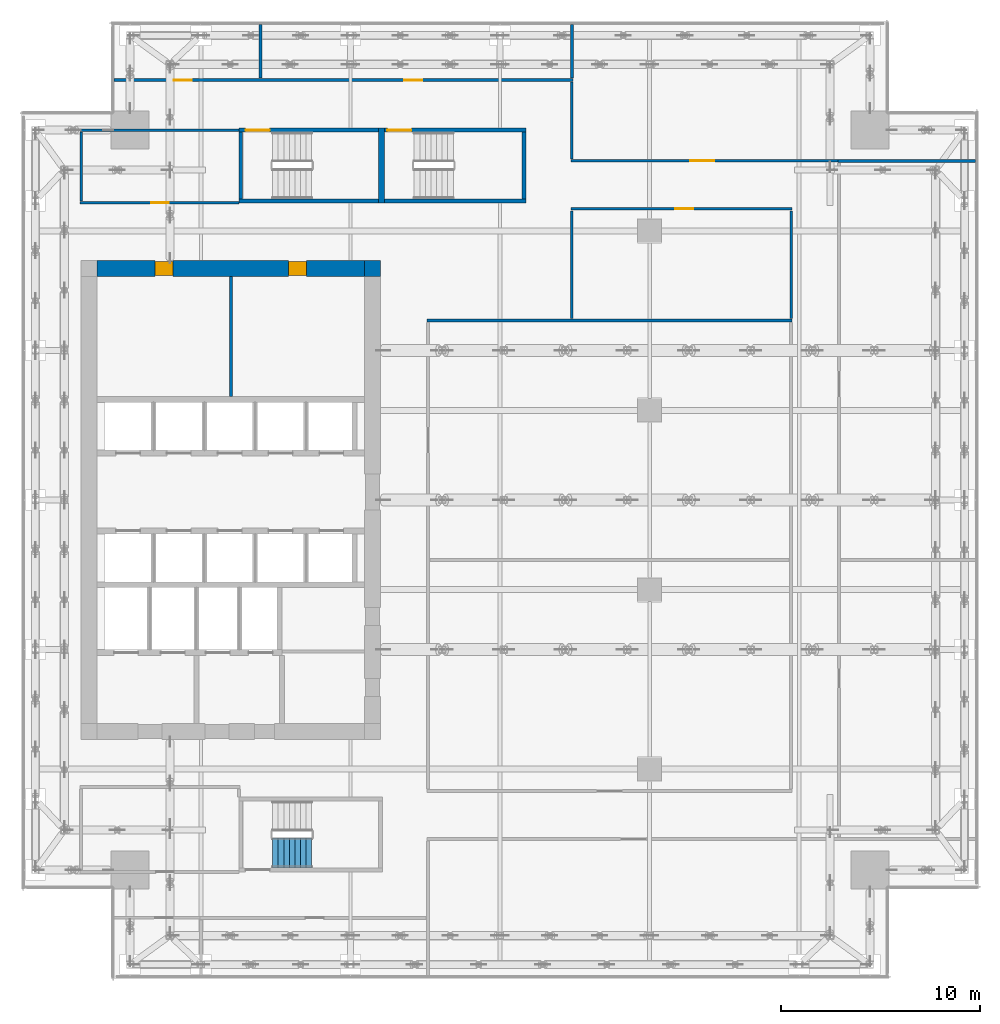
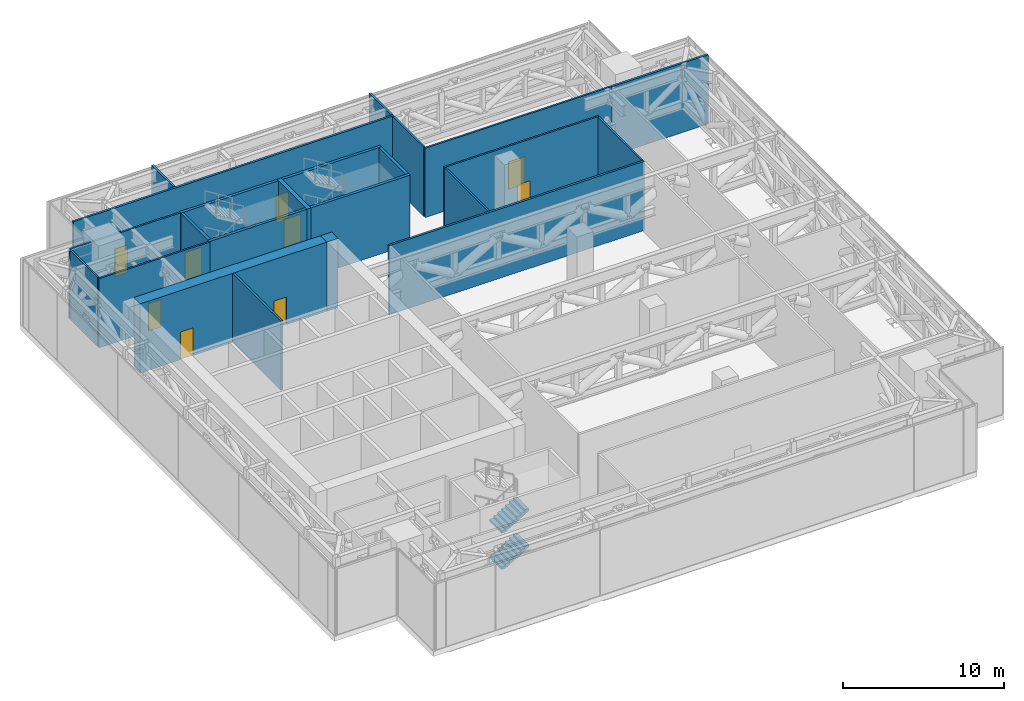
# One storey, part 30 of 36: 23 walls, 9 doors, 2 stair flights, 9 openings, 1 element without a shape of its own.
"""IFC4 building model written with IfcOpenShell, lengths in metres."""

from ifc_helpers import new_model, si_unit, direction, frame, frame_2d, origin, place, context, subcontext, project, spatial, polyline, rectangle, outline, extrude, source, transform, mapped, material, layer, layer_set, type_object, element, fill, aggregate, save


model = new_model("IFC4")

# Units and contexts
model_context = context("Model", 3, precision=1e-05, world=origin(), true_north=direction((0.0, 1.0)))
body_context = subcontext(model_context, "Body", "Model", "MODEL_VIEW")
ifc_project = project(units=[si_unit("LENGTHUNIT", "METRE"), si_unit("AREAUNIT", "SQUARE_METRE"), si_unit("VOLUMEUNIT", "CUBIC_METRE"), si_unit("PLANEANGLEUNIT", "RADIAN"), si_unit("MASSUNIT", "GRAM", prefix="KILO")], contexts=[model_context])

# Site, building, storey
site_placement = place(None, origin())
site = spatial("IfcSite", under=ifc_project, at=site_placement, CompositionType="ELEMENT")
building_placement = place(site_placement, origin())
building = spatial("IfcBuilding", under=site, at=building_placement, Name="Khomas Fold Tower", CompositionType="ELEMENT")
storey_placement = place(building_placement, frame((0.0, 0.0, 216.699951171875)))
storey = spatial("IfcBuildingStorey", under=building, at=storey_placement, Name="L48", CompositionType="ELEMENT", Elevation=216.699951171875)

# Wall, openings, doors
ifc_material_1 = material(Name="Concrete C60/75", Category="concrete")
ifc_layer_1 = layer(ifc_material_1, 0.800048828125)
ifc_layer_set_1 = layer_set([ifc_layer_1], Name="Concrete C60/75")
wall_type_1 = type_object("IfcWallType", Name="Core wall 800", PredefinedType="SHEAR", material=ifc_layer_set_1)
shared_shape_1 = source(origin(), body_context, "Body", "SweptSolid", [
    extrude(rectangle(XDim=13.39990234375, YDim=0.800048828125, at=frame_2d((6.699951171875, 0.0))), origin(), (0.0, 0.0, 1.0), 5.25),
])
wall_1_placement = place(storey_placement, frame((6.800048828125, 38.60009765625, 0.0), z_axis=(0.0, 0.0, 1.0), x_axis=(1.0, 0.0, 0.0)))
wall_1 = element("IfcWall", 1, at=wall_1_placement, inside=storey, type_object=wall_type_1, Name="Core wall CW-U-N-L35", PredefinedType="SHEAR", context=body_context, shape_type="MappedRepresentation", body=[
    mapped(shared_shape_1, transform((0.0, 0.0, 0.0))),
])
shared_shape_2 = source(origin(), body_context, "Body", "SweptSolid", [
    extrude(rectangle(XDim=0.89990234375, YDim=2.10009765625, at=frame_2d((0.449951171875, 1.050048828125))), frame((0.0, 0.409912109375, 0.0), z_axis=(0.0, -1.0, 0.0), x_axis=(1.0, 0.0, 0.0)), (0.0, 0.0, 1.0), 0.820068359375),
])
opening_1_placement = place(wall_1_placement, frame((2.89990234375, 0.0, 0.0)))
opening_1 = element("IfcOpeningElement", 2, at=opening_1_placement, cuts=wall_1, Name="Opening 0003", PredefinedType="OPENING", context=body_context, shape_type="MappedRepresentation", body=[
    mapped(shared_shape_2, transform((0.0, 0.0, 0.0))),
])
opening_2_placement = place(wall_1_placement, frame((9.60009765625, 0.0, 0.0)))
opening_2 = element("IfcOpeningElement", 3, at=opening_2_placement, cuts=wall_1, Name="Opening 0003", PredefinedType="OPENING", context=body_context, shape_type="MappedRepresentation", body=[
    mapped(shared_shape_2, transform((0.0, 0.0, 0.0))),
])
ifc_material_2 = material(Name="Steel door leaf", Category="steel")
door_type_1 = type_object("IfcDoorType", Name="Plant room door 900x2100 right-hand", OperationType="SINGLE_SWING_RIGHT", PredefinedType="DOOR", material=ifc_material_2)
shared_shape_3 = source(origin(), body_context, "Body", "SweptSolid", [
    extrude(rectangle(XDim=0.89990234375, YDim=2.10009765625, at=frame_2d((0.449951171875, 1.050048828125))), frame((0.0, 0.35009765625, 0.0), z_axis=(0.0, -1.0, 0.0), x_axis=(1.0, 0.0, 0.0)), (0.0, 0.0, 1.0), 0.699951171875),
])
door_1_placement = place(opening_1_placement, origin())
door_1 = element("IfcDoor", 4, at=door_1_placement, inside=storey, type_object=door_type_1, Name="Plant room door", OperationType="SINGLE_SWING_RIGHT", OverallHeight=2.10009765625, OverallWidth=0.89990234375, PredefinedType="DOOR", context=body_context, shape_type="MappedRepresentation", body=[
    mapped(shared_shape_3, transform((0.0, 0.0, 0.0))),
])
fill(opening_1, door_1)
door_2_placement = place(opening_2_placement, origin())
door_2 = element("IfcDoor", 5, at=door_2_placement, inside=storey, type_object=door_type_1, Name="Plant room door", OperationType="SINGLE_SWING_RIGHT", OverallHeight=2.10009765625, OverallWidth=0.89990234375, PredefinedType="DOOR", context=body_context, shape_type="MappedRepresentation", body=[
    mapped(shared_shape_3, transform((0.0, 0.0, 0.0))),
])
fill(opening_2, door_2)

# Wall
ifc_material_3 = material(Name="Concrete C60/75", Category="concrete")
ifc_layer_2 = layer(ifc_material_3, 0.800048828125)
ifc_layer_set_2 = layer_set([ifc_layer_2], Name="Concrete C60/75")
wall_type_2 = type_object("IfcWallType", Name="Core corner wall 800", PredefinedType="SHEAR", material=ifc_layer_set_2)
shared_shape_4 = source(origin(), body_context, "Body", "SweptSolid", [
    extrude(rectangle(XDim=0.800048828125, YDim=0.800048828125, at=frame_2d((0.39990234375, 0.0))), origin(), (0.0, 0.0, 1.0), 5.25),
])
wall_2_placement = place(storey_placement, frame((20.199951171875, 38.60009765625, 0.0), z_axis=(0.0, 0.0, 1.0), x_axis=(1.0, 0.0, 0.0)))
element("IfcWall", 6, at=wall_2_placement, inside=storey, type_object=wall_type_2, Name="Core wall CW-U-NE-L35", PredefinedType="SHEAR", context=body_context, shape_type="MappedRepresentation", body=[
    mapped(shared_shape_4, transform((0.0, 0.0, 0.0))),
])

# Wall, opening, door
ifc_material_4 = material(Name="Concrete C50/60", Category="concrete")
ifc_layer_3 = layer(ifc_material_4, 0.199951171875)
ifc_layer_set_3 = layer_set([ifc_layer_3], Name="Concrete C50/60")
wall_type_3 = type_object("IfcWallType", Name="Stair wall 200", PredefinedType="SHEAR", material=ifc_layer_set_3)
shared_shape_5 = source(origin(), body_context, "Body", "SweptSolid", [
    extrude(rectangle(XDim=7.0, YDim=0.199951171875, at=frame_2d((3.5, 0.0))), origin(), (0.0, 0.0, 1.0), 5.25),
])
wall_3_placement = place(storey_placement, frame((13.89990234375, 45.550048828125, 0.0), z_axis=(0.0, 0.0, 1.0), x_axis=(1.0, 0.0, 0.0)))
wall_3 = element("IfcWall", 7, at=wall_3_placement, inside=storey, type_object=wall_type_3, Name="Stair wall SW-ST1-N", PredefinedType="SHEAR", context=body_context, shape_type="MappedRepresentation", body=[
    mapped(shared_shape_5, transform((0.0, 0.0, 0.0))),
])
shared_shape_6 = source(origin(), body_context, "Body", "SweptSolid", [
    extrude(rectangle(XDim=1.199951171875, YDim=2.10009765625, at=frame_2d((0.60009765625, 1.050048828125))), frame((0.0, 0.10986328125, 0.0), z_axis=(0.0, -1.0, 0.0), x_axis=(1.0, 0.0, 0.0)), (0.0, 0.0, 1.0), 0.219970703125),
])
opening_3_placement = place(wall_3_placement, frame((0.35009765625, 0.0, 0.0)))
opening_3 = element("IfcOpeningElement", 8, at=opening_3_placement, cuts=wall_3, Name="Opening SD-ST1", PredefinedType="OPENING", context=body_context, shape_type="MappedRepresentation", body=[
    mapped(shared_shape_6, transform((0.0, 0.0, 0.0))),
])
ifc_material_5 = material(Name="Steel door leaf", Category="steel")
door_type_2 = type_object("IfcDoorType", Name="Stair door 1200x2100 left-hand", OperationType="SINGLE_SWING_LEFT", PredefinedType="DOOR", material=ifc_material_5)
shared_shape_7 = source(origin(), body_context, "Body", "SweptSolid", [
    extrude(rectangle(XDim=1.199951171875, YDim=2.10009765625, at=frame_2d((0.60009765625, 1.050048828125))), frame((0.0, 0.02490234375, 0.0), z_axis=(0.0, -1.0, 0.0), x_axis=(1.0, 0.0, 0.0)), (0.0, 0.0, 1.0), 0.050048828125),
])
door_3_placement = place(opening_3_placement, origin())
door_3 = element("IfcDoor", 9, at=door_3_placement, inside=storey, type_object=door_type_2, Name="Stair door", OperationType="SINGLE_SWING_LEFT", OverallHeight=2.10009765625, OverallWidth=1.199951171875, PredefinedType="DOOR", context=body_context, shape_type="MappedRepresentation", body=[
    mapped(shared_shape_7, transform((0.0, 0.0, 0.0))),
])
fill(opening_3, door_3)

# Wall
wall_4_placement = place(storey_placement, frame((13.89990234375, 42.0, 0.0), z_axis=(0.0, 0.0, 1.0), x_axis=(1.0, 0.0, 0.0)))
element("IfcWall", 10, at=wall_4_placement, inside=storey, type_object=wall_type_3, Name="Stair wall SW-ST1-S", PredefinedType="SHEAR", context=body_context, shape_type="MappedRepresentation", body=[
    mapped(shared_shape_5, transform((0.0, 0.0, 0.0))),
])

# Wall, opening, door
shared_shape_8 = source(origin(), body_context, "Body", "SweptSolid", [
    extrude(rectangle(XDim=7.10009765625, YDim=0.199951171875, at=frame_2d((3.550048828125, 0.0))), origin(), (0.0, 0.0, 1.0), 5.25),
])
wall_5_placement = place(storey_placement, frame((21.199951171875, 45.550048828125, 0.0), z_axis=(0.0, 0.0, 1.0), x_axis=(1.0, 0.0, 0.0)))
wall_5 = element("IfcWall", 11, at=wall_5_placement, inside=storey, type_object=wall_type_3, Name="Stair wall SW-ST3-N", PredefinedType="SHEAR", context=body_context, shape_type="MappedRepresentation", body=[
    mapped(shared_shape_8, transform((0.0, 0.0, 0.0))),
])
opening_4_placement = place(wall_5_placement, frame((0.14990234375, 0.0, 0.0)))
opening_4 = element("IfcOpeningElement", 12, at=opening_4_placement, cuts=wall_5, Name="Opening SD-ST3", PredefinedType="OPENING", context=body_context, shape_type="MappedRepresentation", body=[
    mapped(shared_shape_6, transform((0.0, 0.0, 0.0))),
])
door_4_placement = place(opening_4_placement, origin())
door_4 = element("IfcDoor", 13, at=door_4_placement, inside=storey, type_object=door_type_2, Name="Stair door", OperationType="SINGLE_SWING_LEFT", OverallHeight=2.10009765625, OverallWidth=1.199951171875, PredefinedType="DOOR", context=body_context, shape_type="MappedRepresentation", body=[
    mapped(shared_shape_7, transform((0.0, 0.0, 0.0))),
])
fill(opening_4, door_4)

# Walls
wall_6_placement = place(storey_placement, frame((21.199951171875, 42.0, 0.0), z_axis=(0.0, 0.0, 1.0), x_axis=(1.0, 0.0, 0.0)))
element("IfcWall", 14, at=wall_6_placement, inside=storey, type_object=wall_type_3, Name="Stair wall SW-ST3-S", PredefinedType="SHEAR", context=body_context, shape_type="MappedRepresentation", body=[
    mapped(shared_shape_8, transform((0.0, 0.0, 0.0))),
])
ifc_material_6 = material(Name="Concrete C50/60", Category="concrete")
ifc_layer_4 = layer(ifc_material_6, 0.300048828125)
ifc_layer_set_4 = layer_set([ifc_layer_4], Name="Concrete C50/60")
wall_type_4 = type_object("IfcWallType", Name="Stair wall 300", PredefinedType="SHEAR", material=ifc_layer_set_4)
shared_shape_9 = source(origin(), body_context, "Body", "SweptSolid", [
    extrude(rectangle(XDim=3.75, YDim=0.300048828125, at=frame_2d((1.875, 0.0))), origin(), (0.0, 0.0, 1.0), 5.25),
])
wall_7_placement = place(storey_placement, frame((21.050048828125, 41.89990234375, 0.0), z_axis=(0.0, 0.0, 1.0), x_axis=(0.0, 1.0, 0.0)))
element("IfcWall", 15, at=wall_7_placement, inside=storey, type_object=wall_type_4, Name="Stair wall SW-ST1-E", PredefinedType="SHEAR", context=body_context, shape_type="MappedRepresentation", body=[
    mapped(shared_shape_9, transform((0.0, 0.0, 0.0))),
])
shared_shape_10 = source(origin(), body_context, "Body", "SweptSolid", [
    extrude(rectangle(XDim=3.349853515625, YDim=0.199951171875, at=frame_2d((1.6748046875, 0.0))), origin(), (0.0, 0.0, 1.0), 5.25),
])
for number, where, z_axis, x_axis, name in (
    (16, (14.0, 42.10009765625, 0.0), (0.0, 0.0, 1.0), (0.0, 1.0, 0.0), "Stair wall SW-ST1-W"),
    (17, (28.199951171875, 42.10009765625, 0.0), (0.0, 0.0, 1.0), (0.0, 1.0, 0.0), "Stair wall SW-ST3-E"),
):
    element("IfcWall", number, at=place(storey_placement, frame(where, z_axis=z_axis, x_axis=x_axis)), inside=storey, type_object=wall_type_3, Name=name, PredefinedType="SHEAR", context=body_context, shape_type="MappedRepresentation", body=[
        mapped(shared_shape_10, transform((0.0, 0.0, 0.0))),
    ])
ifc_material_7 = material(Name="Plasterboard fire partition")
ifc_layer_5 = layer(ifc_material_7, 0.14990234375)
ifc_layer_set_5 = layer_set([ifc_layer_5], Name="Plasterboard fire partition")
wall_type_5 = type_object("IfcWallType", Name="Plant room wall PW3 150", PredefinedType="PARTITIONING", material=ifc_layer_set_5)
shared_shape_11 = source(origin(), body_context, "Body", "SweptSolid", [
    extrude(rectangle(XDim=18.2998046875, YDim=0.14990234375, at=frame_2d((9.14990234375, 0.0))), origin(), (0.0, 0.0, 1.0), 5.25),
])
wall_8_placement = place(storey_placement, frame((23.35009765625, 36.0, 0.0), z_axis=(0.0, 0.0, 1.0), x_axis=(1.0, 0.0, 0.0)))
element("IfcWall", 18, at=wall_8_placement, inside=storey, type_object=wall_type_5, Name="Plant room wall", PredefinedType="PARTITIONING", context=body_context, shape_type="MappedRepresentation", body=[
    mapped(shared_shape_11, transform((0.0, 0.0, 0.0))),
])
shared_shape_12 = source(origin(), body_context, "Body", "SweptSolid", [
    extrude(rectangle(XDim=6.0, YDim=0.14990234375, at=frame_2d((3.0, 0.0))), origin(), (0.0, 0.0, 1.0), 5.25),
])
wall_9_placement = place(storey_placement, frame((13.5, 32.199951171875, 0.0), z_axis=(0.0, 0.0, 1.0), x_axis=(0.0, 1.0, 0.0)))
element("IfcWall", 19, at=wall_9_placement, inside=storey, type_object=wall_type_5, Name="Plant room wall", PredefinedType="PARTITIONING", context=body_context, shape_type="MappedRepresentation", body=[
    mapped(shared_shape_12, transform((0.0, 0.0, 0.0))),
])
ifc_material_8 = material(Name="Plasterboard partition")
ifc_layer_6 = layer(ifc_material_8, 0.125)
ifc_layer_set_6 = layer_set([ifc_layer_6], Name="Plasterboard partition")
wall_type_6 = type_object("IfcWallType", Name="Partition PW2 125", PredefinedType="PARTITIONING", material=ifc_layer_set_6)
shared_shape_13 = source(origin(), body_context, "Body", "SweptSolid", [
    extrude(rectangle(XDim=5.39990234375, YDim=0.125, at=frame_2d((2.699951171875, 0.0))), origin(), (0.0, 0.0, 1.0), 5.25),
])
for number, where, z_axis, x_axis, name in (
    (20, (30.60009765625, 36.10009765625, 0.0), (0.0, 0.0, 1.0), (0.0, 1.0, 0.0), "Partition"),
    (21, (41.60009765625, 36.10009765625, 0.0), (0.0, 0.0, 1.0), (0.0, 1.0, 0.0), "Partition"),
):
    element("IfcWall", number, at=place(storey_placement, frame(where, z_axis=z_axis, x_axis=x_axis)), inside=storey, type_object=wall_type_6, Name=name, PredefinedType="PARTITIONING", context=body_context, shape_type="MappedRepresentation", body=[
        mapped(shared_shape_13, transform((0.0, 0.0, 0.0))),
    ])

# Wall, opening, door
shared_shape_14 = source(origin(), body_context, "Body", "SweptSolid", [
    extrude(rectangle(XDim=11.099853515625, YDim=0.125, at=frame_2d((5.5498046875, 0.0))), origin(), (0.0, 0.0, 1.0), 5.25),
])
wall_10_placement = place(storey_placement, frame((30.550048828125, 41.60009765625, 0.0), z_axis=(0.0, 0.0, 1.0), x_axis=(1.0, 0.0, 0.0)))
wall_10 = element("IfcWall", 22, at=wall_10_placement, inside=storey, type_object=wall_type_6, Name="Partition", PredefinedType="PARTITIONING", context=body_context, shape_type="MappedRepresentation", body=[
    mapped(shared_shape_14, transform((0.0, 0.0, 0.0))),
])
shared_shape_15 = source(origin(), body_context, "Body", "SweptSolid", [
    extrude(rectangle(XDim=0.89990234375, YDim=2.10009765625, at=frame_2d((0.449951171875, 1.050048828125))), frame((0.0, 0.072509765625, 0.0), z_axis=(0.0, -1.0, 0.0), x_axis=(1.0, 0.0, 0.0)), (0.0, 0.0, 1.0), 0.14501953125),
])
opening_5_placement = place(wall_10_placement, frame((5.25, 0.0, 0.0)))
opening_5 = element("IfcOpeningElement", 23, at=opening_5_placement, cuts=wall_10, Name="Opening 0008", PredefinedType="OPENING", context=body_context, shape_type="MappedRepresentation", body=[
    mapped(shared_shape_15, transform((0.0, 0.0, 0.0))),
])
ifc_material_9 = material(Name="Timber door leaf", Category="wood")
door_type_3 = type_object("IfcDoorType", Name="Door 900x2100 right-hand", OperationType="SINGLE_SWING_RIGHT", PredefinedType="DOOR", material=ifc_material_9)
shared_shape_16 = source(origin(), body_context, "Body", "SweptSolid", [
    extrude(rectangle(XDim=0.89990234375, YDim=2.10009765625, at=frame_2d((0.449951171875, 1.050048828125))), frame((0.0, 0.02490234375, 0.0), z_axis=(0.0, -1.0, 0.0), x_axis=(1.0, 0.0, 0.0)), (0.0, 0.0, 1.0), 0.050048828125),
])
door_5_placement = place(opening_5_placement, origin())
door_5 = element("IfcDoor", 24, at=door_5_placement, inside=storey, type_object=door_type_3, Name="Door", OperationType="SINGLE_SWING_RIGHT", OverallHeight=2.10009765625, OverallWidth=0.89990234375, PredefinedType="DOOR", context=body_context, shape_type="MappedRepresentation", body=[
    mapped(shared_shape_16, transform((0.0, 0.0, 0.0))),
])
fill(opening_5, door_5)

shared_shape_17 = source(origin(), body_context, "Body", "SweptSolid", [
    extrude(rectangle(XDim=7.949951171875, YDim=0.125, at=frame_2d((3.97509765625, 0.0))), origin(), (0.0, 0.0, 1.0), 5.25),
])
wall_11_placement = place(storey_placement, frame((5.949951171875, 41.89990234375, 0.0), z_axis=(0.0, 0.0, 1.0), x_axis=(1.0, 0.0, 0.0)))
wall_11 = element("IfcWall", 25, at=wall_11_placement, inside=storey, type_object=wall_type_6, Name="Partition", PredefinedType="PARTITIONING", context=body_context, shape_type="MappedRepresentation", body=[
    mapped(shared_shape_17, transform((0.0, 0.0, 0.0))),
])
opening_6_placement = place(wall_11_placement, frame((3.550048828125, 0.0, 0.0)))
opening_6 = element("IfcOpeningElement", 26, at=opening_6_placement, cuts=wall_11, Name="Opening 0007", PredefinedType="OPENING", context=body_context, shape_type="MappedRepresentation", body=[
    mapped(shared_shape_15, transform((0.0, 0.0, 0.0))),
])
ifc_material_10 = material(Name="Timber door leaf", Category="wood")
door_type_4 = type_object("IfcDoorType", Name="Door 900x2100 left-hand", OperationType="SINGLE_SWING_LEFT", PredefinedType="DOOR", material=ifc_material_10)
door_6_placement = place(opening_6_placement, origin())
door_6 = element("IfcDoor", 27, at=door_6_placement, inside=storey, type_object=door_type_4, Name="Door", OperationType="SINGLE_SWING_LEFT", OverallHeight=2.10009765625, OverallWidth=0.89990234375, PredefinedType="DOOR", context=body_context, shape_type="MappedRepresentation", body=[
    mapped(shared_shape_16, transform((0.0, 0.0, 0.0))),
])
fill(opening_6, door_6)

# Walls
wall_12_placement = place(storey_placement, frame((5.949951171875, 45.550048828125, 0.0), z_axis=(0.0, 0.0, 1.0), x_axis=(1.0, 0.0, 0.0)))
element("IfcWall", 28, at=wall_12_placement, inside=storey, type_object=wall_type_6, Name="Partition", PredefinedType="PARTITIONING", context=body_context, shape_type="MappedRepresentation", body=[
    mapped(shared_shape_17, transform((0.0, 0.0, 0.0))),
])
shared_shape_18 = source(origin(), body_context, "Body", "SweptSolid", [
    extrude(rectangle(XDim=3.449951171875, YDim=0.125, at=frame_2d((1.72509765625, 0.0))), origin(), (0.0, 0.0, 1.0), 5.25),
])
wall_13_placement = place(storey_placement, frame((6.0, 42.0, 0.0), z_axis=(0.0, 0.0, 1.0), x_axis=(0.0, 1.0, 0.0)))
element("IfcWall", 29, at=wall_13_placement, inside=storey, type_object=wall_type_6, Name="Partition", PredefinedType="PARTITIONING", context=body_context, shape_type="MappedRepresentation", body=[
    mapped(shared_shape_18, transform((0.0, 0.0, 0.0))),
])

# Wall, opening, door
shared_shape_19 = source(origin(), body_context, "Body", "SweptSolid", [
    extrude(rectangle(XDim=13.39990234375, YDim=0.125, at=frame_2d((6.699951171875, 0.0))), origin(), (0.0, 0.0, 1.0), 5.25),
])
wall_14_placement = place(storey_placement, frame((30.550048828125, 44.0, 0.0), z_axis=(0.0, 0.0, 1.0), x_axis=(1.0, 0.0, 0.0)))
wall_14 = element("IfcWall", 30, at=wall_14_placement, inside=storey, type_object=wall_type_6, Name="Partition", PredefinedType="PARTITIONING", context=body_context, shape_type="MappedRepresentation", body=[
    mapped(shared_shape_19, transform((0.0, 0.0, 0.0))),
])
shared_shape_20 = source(origin(), body_context, "Body", "SweptSolid", [
    extrude(rectangle(XDim=1.199951171875, YDim=2.10009765625, at=frame_2d((0.60009765625, 1.050048828125))), frame((0.0, 0.072509765625, 0.0), z_axis=(0.0, -1.0, 0.0), x_axis=(1.0, 0.0, 0.0)), (0.0, 0.0, 1.0), 0.14501953125),
])
opening_7_placement = place(wall_14_placement, frame((6.0, 0.0, 0.0)))
opening_7 = element("IfcOpeningElement", 31, at=opening_7_placement, cuts=wall_14, Name="Opening 0001", PredefinedType="OPENING", context=body_context, shape_type="MappedRepresentation", body=[
    mapped(shared_shape_20, transform((0.0, 0.0, 0.0))),
])
ifc_material_11 = material(Name="Timber door leaf", Category="wood")
door_type_5 = type_object("IfcDoorType", Name="Door 1200x2100 right-hand", OperationType="SINGLE_SWING_RIGHT", PredefinedType="DOOR", material=ifc_material_11)
door_7_placement = place(opening_7_placement, origin())
door_7 = element("IfcDoor", 32, at=door_7_placement, inside=storey, type_object=door_type_5, Name="Door", OperationType="SINGLE_SWING_RIGHT", OverallHeight=2.10009765625, OverallWidth=1.199951171875, PredefinedType="DOOR", context=body_context, shape_type="MappedRepresentation", body=[
    mapped(shared_shape_7, transform((0.0, 0.0, 0.0))),
])
fill(opening_7, door_7)

# Walls
shared_shape_21 = source(origin(), body_context, "Body", "SweptSolid", [
    extrude(rectangle(XDim=6.900146484375, YDim=0.14990234375, at=frame_2d((3.4501953125, 0.0))), origin(), (0.0, 0.0, 1.0), 5.25),
])
wall_15_placement = place(storey_placement, frame((43.949951171875, 44.0, 0.0), z_axis=(0.0, 0.0, 1.0), x_axis=(1.0, 0.0, 0.0)))
element("IfcWall", 33, at=wall_15_placement, inside=storey, type_object=wall_type_5, Name="Plant room wall", PredefinedType="PARTITIONING", context=body_context, shape_type="MappedRepresentation", body=[
    mapped(shared_shape_21, transform((0.0, 0.0, 0.0))),
])
shared_shape_22 = source(origin(), body_context, "Body", "SweptSolid", [
    extrude(rectangle(XDim=3.849853515625, YDim=0.125, at=frame_2d((1.9248046875, 0.0))), origin(), (0.0, 0.0, 1.0), 5.25),
])
wall_16_placement = place(storey_placement, frame((30.60009765625, 44.10009765625, 0.0), z_axis=(0.0, 0.0, 1.0), x_axis=(0.0, 1.0, 0.0)))
element("IfcWall", 34, at=wall_16_placement, inside=storey, type_object=wall_type_6, Name="Partition", PredefinedType="PARTITIONING", context=body_context, shape_type="MappedRepresentation", body=[
    mapped(shared_shape_22, transform((0.0, 0.0, 0.0))),
])

# Wall, openings, doors
shared_shape_23 = source(origin(), body_context, "Body", "SweptSolid", [
    extrude(rectangle(XDim=23.0, YDim=0.14990234375, at=frame_2d((11.5, 0.0))), origin(), (0.0, 0.0, 1.0), 5.25),
])
wall_17_placement = place(storey_placement, frame((7.64990234375, 48.050048828125, 0.0), z_axis=(0.0, 0.0, 1.0), x_axis=(1.0, 0.0, 0.0)))
wall_17 = element("IfcWall", 35, at=wall_17_placement, inside=storey, type_object=wall_type_5, Name="Plant room wall", PredefinedType="PARTITIONING", context=body_context, shape_type="MappedRepresentation", body=[
    mapped(shared_shape_23, transform((0.0, 0.0, 0.0))),
])
shared_shape_24 = source(origin(), body_context, "Body", "SweptSolid", [
    extrude(rectangle(XDim=0.89990234375, YDim=2.10009765625, at=frame_2d((0.449951171875, 1.050048828125))), frame((0.0, 0.0849609375, 0.0), z_axis=(0.0, -1.0, 0.0), x_axis=(1.0, 0.0, 0.0)), (0.0, 0.0, 1.0), 0.169921875),
])
opening_8_placement = place(wall_17_placement, frame((3.0, 0.0, 0.0)))
opening_8 = element("IfcOpeningElement", 36, at=opening_8_placement, cuts=wall_17, Name="Opening 0003", PredefinedType="OPENING", context=body_context, shape_type="MappedRepresentation", body=[
    mapped(shared_shape_24, transform((0.0, 0.0, 0.0))),
])
opening_9_placement = place(wall_17_placement, frame((14.550048828125, 0.0, 0.0)))
opening_9 = element("IfcOpeningElement", 37, at=opening_9_placement, cuts=wall_17, Name="Opening 0003", PredefinedType="OPENING", context=body_context, shape_type="MappedRepresentation", body=[
    mapped(shared_shape_24, transform((0.0, 0.0, 0.0))),
])
door_8_placement = place(opening_8_placement, origin())
door_8 = element("IfcDoor", 38, at=door_8_placement, inside=storey, type_object=door_type_1, Name="Plant room door", OperationType="SINGLE_SWING_RIGHT", OverallHeight=2.10009765625, OverallWidth=0.89990234375, PredefinedType="DOOR", context=body_context, shape_type="MappedRepresentation", body=[
    mapped(shared_shape_16, transform((0.0, 0.0, 0.0))),
])
fill(opening_8, door_8)
door_9_placement = place(opening_9_placement, origin())
door_9 = element("IfcDoor", 39, at=door_9_placement, inside=storey, type_object=door_type_1, Name="Plant room door", OperationType="SINGLE_SWING_RIGHT", OverallHeight=2.10009765625, OverallWidth=0.89990234375, PredefinedType="DOOR", context=body_context, shape_type="MappedRepresentation", body=[
    mapped(shared_shape_16, transform((0.0, 0.0, 0.0))),
])
fill(opening_9, door_9)

# Walls
shared_shape_25 = source(origin(), body_context, "Body", "SweptSolid", [
    extrude(rectangle(XDim=2.7001953125, YDim=0.14990234375, at=frame_2d((1.35009765625, 0.0))), origin(), (0.0, 0.0, 1.0), 5.25),
])
for number, where, z_axis, x_axis, name in (
    (40, (15.0, 48.14990234375, 0.0), (0.0, 0.0, 1.0), (0.0, 1.0, 0.0), "Plant room wall"),
    (41, (30.60009765625, 48.14990234375, 0.0), (0.0, 0.0, 1.0), (0.0, 1.0, 0.0), "Plant room wall"),
):
    element("IfcWall", number, at=place(storey_placement, frame(where, z_axis=z_axis, x_axis=x_axis)), inside=storey, type_object=wall_type_5, Name=name, PredefinedType="PARTITIONING", context=body_context, shape_type="MappedRepresentation", body=[
        mapped(shared_shape_25, transform((0.0, 0.0, 0.0))),
    ])

# Stair, stair flights
ifc_material_12 = material(Name="Concrete C40/50", Category="concrete")
stair_type = type_object("IfcStairType", Name="Stair ST2", PredefinedType="HALF_TURN_STAIR", material=ifc_material_12)
stair_placement = place(storey_placement, origin())
stair = element("IfcStair", 42, at=stair_placement, inside=storey, type_object=stair_type, Name="L48 ST2", PredefinedType="HALF_TURN_STAIR")
ifc_material_13 = material(Name="Concrete C40/50", Category="concrete")
stair_flight_type = type_object("IfcStairFlightType", Name="Stair flight 1500 ST2", PredefinedType="STRAIGHT", material=ifc_material_13)
shared_shape_26 = source(origin(), body_context, "Body", "SweptSolid", [
    extrude(outline(polyline([(0.0, 0.0), (0.0, 0.00146484375), (0.0, 0.0029296875), (0.0, 0.004150390625), (0.0, 0.005615234375), (0.0, 0.007080078125), (0.0, 0.008544921875), (0.0, 0.010009765625), (0.0, 0.011474609375), (0.0, 0.0126953125), (0.0, 0.01416015625), (0.0, 0.015625), (0.0, 0.01708984375), (0.0, 0.0185546875), (0.0, 0.019775390625), (0.0, 0.021240234375), (0.0, 0.022705078125), (0.0, 0.024169921875), (0.0, 0.025634765625), (0.0, 0.027099609375), (0.0, 0.0283203125), (0.0, 0.02978515625), (0.0, 0.03125), (0.0, 0.03271484375), (0.0, 0.0341796875), (0.0, 0.035400390625), (0.0, 0.036865234375), (0.0, 0.038330078125), (0.0, 0.039794921875), (0.0, 0.041259765625), (0.0, 0.042724609375), (0.0, 0.0439453125), (0.0, 0.04541015625), (0.0, 0.046875), (0.0, 0.04833984375), (0.0, 0.0498046875), (0.0, 0.051025390625), (0.0, 0.052490234375), (0.0, 0.053955078125), (0.0, 0.055419921875), (0.0, 0.056884765625), (0.0, 0.058349609375), (0.0, 0.0595703125), (0.0, 0.06103515625), (0.0, 0.0625), (0.0, 0.06396484375), (0.0, 0.0654296875), (0.0, 0.066650390625), (0.0, 0.068115234375), (0.0, 0.069580078125), (0.0, 0.071044921875), (0.0, 0.072509765625), (0.0, 0.073974609375), (0.0, 0.0751953125), (0.0, 0.07666015625), (0.0, 0.078125), (0.0, 0.07958984375), (0.0, 0.0810546875), (0.0, 0.082275390625), (0.0, 0.083740234375), (0.0, 0.085205078125), (0.0, 0.086669921875), (0.0, 0.088134765625), (0.0, 0.089599609375), (0.0, 0.0908203125), (0.0, 0.09228515625), (0.0, 0.09375), (0.0, 0.09521484375), (0.0, 0.0966796875), (0.0, 0.097900390625), (0.0, 0.099365234375), (0.0, 0.100830078125), (0.0, 0.102294921875), (0.0, 0.103759765625), (0.0, 0.105224609375), (0.0, 0.1064453125), (0.0, 0.10791015625), (0.0, 0.109375), (0.0, 0.11083984375), (0.0, 0.1123046875), (0.0, 0.113525390625), (0.0, 0.114990234375), (0.0, 0.116455078125), (0.0, 0.117919921875), (0.0, 0.119384765625), (0.0, 0.120849609375), (0.0, 0.1220703125), (0.0, 0.12353515625), (0.0, 0.125), (0.0, 0.12646484375), (0.0, 0.1279296875), (0.0, 0.129150390625), (0.0, 0.130615234375), (0.0, 0.132080078125), (0.0, 0.133544921875), (0.0, 0.135009765625), (0.0, 0.136474609375), (0.0, 0.1376953125), (0.0, 0.13916015625), (0.0, 0.140625), (0.0, 0.14208984375), (0.0, 0.1435546875), (0.0, 0.144775390625), (0.0, 0.146240234375), (0.0, 0.147705078125), (0.0, 0.149169921875), (0.0, 0.150634765625), (0.0, 0.152099609375), (0.0, 0.1533203125), (0.0, 0.15478515625), (0.0, 0.15625), (0.0, 0.15771484375), (0.0, 0.1591796875), (0.0, 0.160400390625), (0.0, 0.161865234375), (0.0, 0.163330078125), (0.0, 0.164794921875), (0.0, 0.166259765625), (0.0, 0.167724609375), (0.0, 0.1689453125), (0.0, 0.17041015625), (0.0, 0.171875), (0.280029296875, 0.171875), (0.280029296875, 0.34375), (0.56005859375, 0.34375), (0.56005859375, 0.515625), (0.840087890625, 0.515625), (0.840087890625, 0.6875), (1.1201171875, 0.6875), (1.1201171875, 0.859375), (1.39990234375, 0.859375), (1.39990234375, 1.03125), (1.679931640625, 1.03125), (1.679931640625, 1.203125), (1.9599609375, 1.203125), (1.9599609375, 1.375), (1.9599609375, 1.3720703125), (1.9599609375, 1.369140625), (1.9599609375, 1.366455078125), (1.9599609375, 1.363525390625), (1.9599609375, 1.360595703125), (1.9599609375, 1.357666015625), (1.9599609375, 1.35498046875), (1.9599609375, 1.35205078125), (1.9599609375, 1.34912109375), (1.9599609375, 1.34619140625), (1.9599609375, 1.343505859375), (1.9599609375, 1.340576171875), (1.9599609375, 1.337646484375), (1.9599609375, 1.334716796875), (1.9599609375, 1.331787109375), (1.9599609375, 1.3291015625), (1.9599609375, 1.326171875), (1.9599609375, 1.3232421875), (1.9599609375, 1.3203125), (1.9599609375, 1.317626953125), (1.9599609375, 1.314697265625), (1.9599609375, 1.311767578125), (1.9599609375, 1.308837890625), (1.9599609375, 1.305908203125), (1.9599609375, 1.30322265625), (1.9599609375, 1.30029296875), (1.9599609375, 1.29736328125), (1.9599609375, 1.29443359375), (1.9599609375, 1.291748046875), (1.9599609375, 1.288818359375), (1.9599609375, 1.285888671875), (1.9599609375, 1.282958984375), (1.9599609375, 1.2802734375), (1.9599609375, 1.27734375), (1.9599609375, 1.2744140625), (1.9599609375, 1.271484375), (1.9599609375, 1.2685546875), (1.9599609375, 1.265869140625), (1.9599609375, 1.262939453125), (1.9599609375, 1.260009765625), (1.9599609375, 1.257080078125), (1.9599609375, 1.25439453125), (1.9599609375, 1.25146484375), (1.9599609375, 1.24853515625), (1.9599609375, 1.24560546875), (1.9599609375, 1.24267578125), (1.9599609375, 1.239990234375), (1.9599609375, 1.237060546875), (1.9599609375, 1.234130859375), (1.9599609375, 1.231201171875), (1.9599609375, 1.228515625), (1.9599609375, 1.2255859375), (1.9599609375, 1.22265625), (1.9599609375, 1.2197265625), (1.9599609375, 1.217041015625), (1.9599609375, 1.214111328125), (1.9599609375, 1.211181640625), (1.9599609375, 1.208251953125), (1.9599609375, 1.205322265625), (1.9599609375, 1.20263671875), (1.9599609375, 1.19970703125), (1.9599609375, 1.19677734375), (1.9599609375, 1.19384765625), (1.9599609375, 1.191162109375), (1.9599609375, 1.188232421875), (1.9599609375, 1.185302734375), (1.9599609375, 1.182373046875), (1.9599609375, 1.179443359375), (1.9599609375, 1.1767578125), (1.9599609375, 1.173828125), (1.9599609375, 1.1708984375), (1.9599609375, 1.16796875), (1.9599609375, 1.165283203125), (1.9599609375, 1.162353515625), (1.9599609375, 1.159423828125), (1.9599609375, 1.156494140625), (1.9599609375, 1.15380859375), (1.9599609375, 1.15087890625), (1.9599609375, 1.14794921875), (1.9599609375, 1.14501953125), (1.9599609375, 1.14208984375), (1.9599609375, 1.139404296875), (1.9599609375, 1.136474609375), (1.9599609375, 1.133544921875), (1.9599609375, 1.130615234375), (1.9599609375, 1.1279296875), (1.9599609375, 1.125), (1.9599609375, 1.1220703125), (1.9599609375, 1.119140625), (1.9599609375, 1.1162109375), (1.9599609375, 1.113525390625), (1.9599609375, 1.110595703125), (1.9599609375, 1.107666015625), (1.9599609375, 1.104736328125), (1.9599609375, 1.10205078125), (1.9599609375, 1.09912109375), (1.9599609375, 1.09619140625), (1.9599609375, 1.09326171875), (1.9599609375, 1.090576171875), (1.9599609375, 1.087646484375), (1.9599609375, 1.084716796875), (1.9599609375, 1.081787109375), (1.9599609375, 1.078857421875), (1.9599609375, 1.076171875), (1.9599609375, 1.0732421875), (1.9599609375, 1.0703125), (1.9599609375, 1.0673828125), (1.9599609375, 1.064697265625), (1.9599609375, 1.061767578125), (1.9599609375, 1.058837890625), (1.9599609375, 1.055908203125), (1.9599609375, 1.05322265625), (1.9599609375, 1.05029296875), (1.9599609375, 1.04736328125), (1.9599609375, 1.04443359375), (1.9599609375, 1.04150390625), (1.9599609375, 1.038818359375), (1.9599609375, 1.035888671875), (1.9599609375, 1.032958984375), (1.9599609375, 1.030029296875), (1.9599609375, 1.02734375), (0.28662109375, 0.0), (0.0, 0.0)])), frame((0.0, 0.75, 0.0), z_axis=(0.0, -1.0, 0.0), x_axis=(1.0, 0.0, 0.0)), (0.0, 0.0, 1.0), 1.5),
])
stair_flight_1_placement = place(storey_placement, frame((15.60009765625, 9.300048828125, 0.0), z_axis=(0.0, 0.0, 1.0), x_axis=(1.0, 0.0, 0.0)))
stair_flight_1 = element("IfcStairFlight", 43, at=stair_flight_1_placement, type_object=stair_flight_type, Name="ST2 flight 1", NumberOfRisers=8, NumberOfTreads=7, PredefinedType="STRAIGHT", RiserHeight=0.171875, TreadLength=0.28, context=body_context, shape_type="MappedRepresentation", body=[
    mapped(shared_shape_26, transform((0.0, 0.0, 0.0))),
])
stair_flight_2_placement = place(storey_placement, frame((15.60009765625, 9.300048828125, 2.75), z_axis=(0.0, 0.0, 1.0), x_axis=(1.0, 0.0, 0.0)))
stair_flight_2 = element("IfcStairFlight", 44, at=stair_flight_2_placement, type_object=stair_flight_type, Name="ST2 flight 3", NumberOfRisers=8, NumberOfTreads=7, PredefinedType="STRAIGHT", RiserHeight=0.171875, TreadLength=0.28, context=body_context, shape_type="MappedRepresentation", body=[
    mapped(shared_shape_26, transform((0.0, 0.0, 0.0))),
])
aggregate(stair, [stair_flight_1, stair_flight_2])

save(model, "model.ifc")
